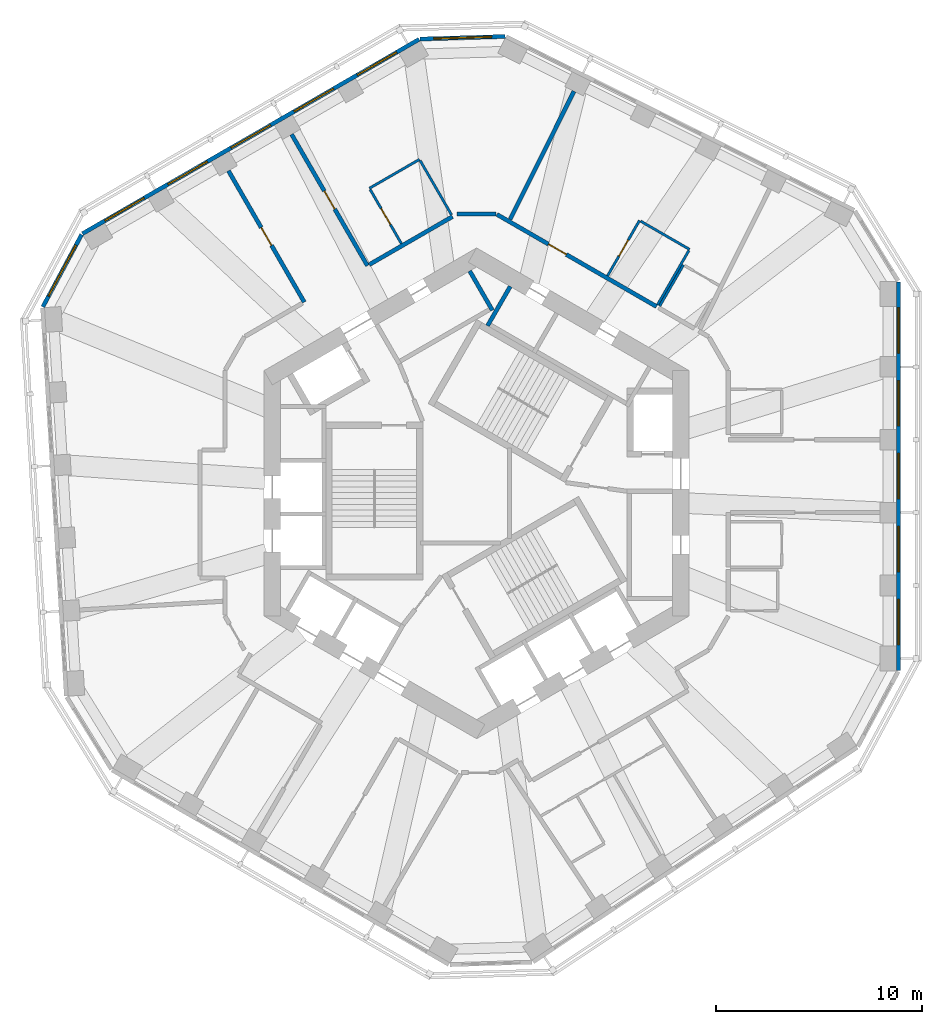
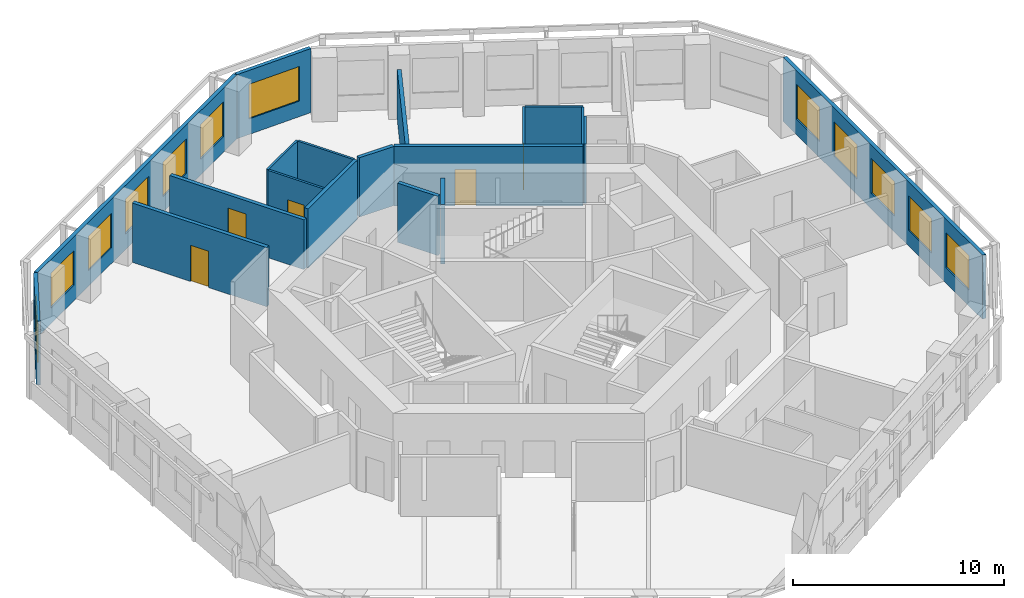
# One storey, part 7 of 11: 19 walls, 12 windows, 5 doors, 17 openings.
"""IFC4 building model written with IfcOpenShell, lengths in metres."""

from ifc_helpers import new_model, si_unit, direction, frame, frame_2d, origin, place, context, subcontext, project, spatial, rectangle, extrude, material, layer, layer_set, type_object, element, fill, save


model = new_model("IFC4")

# Units and contexts
model_context = context("Model", 3, precision=1e-05, world=origin(), true_north=direction((0.0, 1.0)))
body_context = subcontext(model_context, "Body", "Model", "MODEL_VIEW")
ifc_project = project(units=[si_unit("LENGTHUNIT", "METRE"), si_unit("AREAUNIT", "SQUARE_METRE"), si_unit("VOLUMEUNIT", "CUBIC_METRE"), si_unit("PLANEANGLEUNIT", "RADIAN"), si_unit("MASSUNIT", "GRAM", prefix="KILO")], contexts=[model_context])

# Site, building, storey
site_placement = place(None, origin())
site = spatial("IfcSite", under=ifc_project, at=site_placement, CompositionType="ELEMENT")
building_placement = place(site_placement, origin())
building = spatial("IfcBuilding", under=site, at=building_placement, Name="Vanh Sen Convention Tower", CompositionType="ELEMENT")
storey_placement = place(building_placement, frame((0.0, 0.0, 221.699951171875)))
storey = spatial("IfcBuildingStorey", under=building, at=storey_placement, Name="L54", CompositionType="ELEMENT", Elevation=221.699951171875)

# Wall
ifc_material_1 = material(Name="Moisture-resistant gypsum board on steel studs", Category="steel")
ifc_layer_1 = layer(ifc_material_1, 0.1201171875)
ifc_layer_set_1 = layer_set([ifc_layer_1], Name="Moisture-resistant gypsum board on steel studs")
wall_type_1 = type_object("IfcWallType", Name="Bathroom partition 120", PredefinedType="PARTITIONING", material=ifc_layer_set_1)
wall_1_placement = place(storey_placement, frame((-5.19140625, 14.78515625, 0.0), z_axis=(0.0, 0.0, 1.0), x_axis=(0.866034573852, 0.49998411664, 0.0)))
element("IfcWall", 1, at=wall_1_placement, inside=storey, type_object=wall_type_1, Name="Bathroom partition 120", PredefinedType="PARTITIONING", context=body_context, shape_type="SweptSolid", body=[
    extrude(rectangle(XDim=2.7998046875, YDim=0.1201171875, at=frame_2d((1.39990234375, 0.0))), origin(), (0.0, 0.0, 1.0), 3.420166015625),
])

# Wall, opening, door
wall_2_placement = place(storey_placement, frame((-3.641357421875, 12.1005859375, 0.0), z_axis=(0.0, 0.0, 1.0), x_axis=(-0.500026023896, 0.86601037836, 0.0)))
wall_2 = element("IfcWall", 2, at=wall_2_placement, inside=storey, type_object=wall_type_1, Name="Bathroom partition 120", PredefinedType="PARTITIONING", context=body_context, shape_type="SweptSolid", body=[
    extrude(rectangle(XDim=3.039794921875, YDim=0.1201171875, at=frame_2d((1.52001953125, 0.0))), origin(), (0.0, 0.0, 1.0), 3.420166015625),
])
opening_1_placement = place(wall_2_placement, frame((1.06982421875, 0.0, 0.0)))
opening_1 = element("IfcOpeningElement", 3, at=opening_1_placement, cuts=wall_2, Name="Opening D52107", PredefinedType="OPENING", context=body_context, shape_type="SweptSolid", body=[
    extrude(rectangle(XDim=0.89990234375, YDim=2.10009765625, at=frame_2d((0.449951171875, 1.050048828125))), frame((0.0, 0.070068359375, 0.0), z_axis=(0.0, -1.0, 0.0), x_axis=(1.0, 0.0, 0.0)), (0.0, 0.0, 1.0), 0.14013671875),
])
ifc_material_2 = material(Name="Laminate door in steel frame", Category="steel")
door_type_1 = type_object("IfcDoorType", Name="Room internal door 900", OperationType="SINGLE_SWING_LEFT", PredefinedType="DOOR", material=ifc_material_2)
door_1_placement = place(opening_1_placement, origin())
door_1 = element("IfcDoor", 4, at=door_1_placement, inside=storey, type_object=door_type_1, Name="Internal room door D52107", OperationType="SINGLE_SWING_LEFT", OverallHeight=2.10009765625, OverallWidth=0.89990234375, PredefinedType="DOOR", context=body_context, shape_type="SweptSolid", body=[
    extrude(rectangle(XDim=0.89990234375, YDim=2.10009765625, at=frame_2d((0.449951171875, 1.050048828125))), frame((0.0, 0.02490234375, 0.0), z_axis=(0.0, -1.0, 0.0), x_axis=(1.0, 0.0, 0.0)), (0.0, 0.0, 1.0), 0.050048828125),
])
fill(opening_1, door_1)

# Wall
wall_3_placement = place(storey_placement, frame((-2.736572265625, 16.133056640625, 0.0), z_axis=(0.0, 0.0, 1.0), x_axis=(0.500026023896, -0.86601037836, 0.0)))
element("IfcWall", 5, at=wall_3_placement, inside=storey, type_object=wall_type_1, Name="Bathroom partition 120", PredefinedType="PARTITIONING", context=body_context, shape_type="SweptSolid", body=[
    extrude(rectangle(XDim=3.039794921875, YDim=0.1201171875, at=frame_2d((1.52001953125, 0.0))), origin(), (0.0, 0.0, 1.0), 3.420166015625),
])

# Wall, opening, door
wall_4_placement = place(storey_placement, frame((6.3466796875, 10.53857421875, 0.0), z_axis=(0.0, 0.0, 1.0), x_axis=(0.499933790963, 0.866063626216, 0.0)))
wall_4 = element("IfcWall", 6, at=wall_4_placement, inside=storey, type_object=wall_type_1, Name="Bathroom partition 120", PredefinedType="PARTITIONING", context=body_context, shape_type="SweptSolid", body=[
    extrude(rectangle(XDim=3.10009765625, YDim=0.1201171875, at=frame_2d((1.550048828125, 0.0))), origin(), (0.0, 0.0, 1.0), 3.420166015625),
])
opening_2_placement = place(wall_4_placement, frame((1.10009765625, 0.0, 0.0)))
opening_2 = element("IfcOpeningElement", 7, at=opening_2_placement, cuts=wall_4, Name="Opening D52105", PredefinedType="OPENING", context=body_context, shape_type="SweptSolid", body=[
    extrude(rectangle(XDim=0.89990234375, YDim=2.10009765625, at=frame_2d((0.449951171875, 1.050048828125))), frame((0.0, 0.070068359375, 0.0), z_axis=(0.0, -1.0, 0.0), x_axis=(1.0, 0.0, 0.0)), (0.0, 0.0, 1.0), 0.14013671875),
])
door_2_placement = place(opening_2_placement, origin())
door_2 = element("IfcDoor", 8, at=door_2_placement, inside=storey, type_object=door_type_1, Name="Internal room door D52105", OperationType="SINGLE_SWING_LEFT", OverallHeight=2.10009765625, OverallWidth=0.89990234375, PredefinedType="DOOR", context=body_context, shape_type="SweptSolid", body=[
    extrude(rectangle(XDim=0.89990234375, YDim=2.10009765625, at=frame_2d((0.449951171875, 1.050048828125))), frame((0.0, 0.02490234375, 0.0), z_axis=(0.0, -1.0, 0.0), x_axis=(1.0, 0.0, 0.0)), (0.0, 0.0, 1.0), 0.050048828125),
])
fill(opening_2, door_2)

# Walls
wall_5_placement = place(storey_placement, frame((7.948486328125, 13.193359375, 0.0), z_axis=(0.0, 0.0, 1.0), x_axis=(0.866019409031, -0.500010383074, 0.0)))
element("IfcWall", 9, at=wall_5_placement, inside=storey, type_object=wall_type_1, Name="Bathroom partition 120", PredefinedType="PARTITIONING", context=body_context, shape_type="SweptSolid", body=[
    extrude(rectangle(XDim=2.740234375, YDim=0.1201171875, at=frame_2d((1.3701171875, 0.0))), origin(), (0.0, 0.0, 1.0), 3.420166015625),
])
wall_6_placement = place(storey_placement, frame((8.87548828125, 9.07861328125, 0.0), z_axis=(0.0, 0.0, 1.0), x_axis=(0.499998129301, 0.86602648383, 0.0)))
element("IfcWall", 10, at=wall_6_placement, inside=storey, type_object=wall_type_1, Name="Bathroom partition 120", PredefinedType="PARTITIONING", context=body_context, shape_type="SweptSolid", body=[
    extrude(rectangle(XDim=2.2998046875, YDim=0.1201171875, at=frame_2d((1.14990234375, 0.0))), origin(), (0.0, 0.0, 1.0), 3.420166015625),
])
wall_7_placement = place(storey_placement, frame((10.29150390625, 11.771240234375, 0.0), z_axis=(0.0, 0.0, 1.0), x_axis=(-0.500026023896, -0.86601037836, 0.0)))
element("IfcWall", 11, at=wall_7_placement, inside=storey, type_object=wall_type_1, Name="Bathroom partition 120", PredefinedType="PARTITIONING", context=body_context, shape_type="SweptSolid", body=[
    extrude(rectangle(XDim=3.039794921875, YDim=0.1201171875, at=frame_2d((1.52001953125, 0.0))), origin(), (0.0, 0.0, 1.0), 3.420166015625),
])

# Wall, opening, door
ifc_material_3 = material(Name="Gypsum board on steel studs with mineral wool", Category="steel")
ifc_layer_2 = layer(ifc_material_3, 0.199951171875)
ifc_layer_set_2 = layer_set([ifc_layer_2], Name="Gypsum board on steel studs with mineral wool")
wall_type_2 = type_object("IfcWallType", Name="Corridor partition wall 200", PredefinedType="PARTITIONING", material=ifc_layer_set_2)
wall_8_placement = place(storey_placement, frame((-12.02490234375, 15.6318359375, 0.0), z_axis=(0.0, 0.0, 1.0), x_axis=(0.499983153418, -0.866035129944, 0.0)))
wall_8 = element("IfcWall", 12, at=wall_8_placement, inside=storey, type_object=wall_type_2, Name="Corridor partition wall 200", PredefinedType="PARTITIONING", context=body_context, shape_type="SweptSolid", body=[
    extrude(rectangle(XDim=7.349853515625, YDim=0.199951171875, at=frame_2d((3.6748046875, 0.0))), origin(), (0.0, 0.0, 1.0), 3.420166015625),
])
opening_3_placement = place(wall_8_placement, frame((3.175048828125, 0.0, 0.0)))
opening_3 = element("IfcOpeningElement", 13, at=opening_3_placement, cuts=wall_8, Name="Opening D52108", PredefinedType="OPENING", context=body_context, shape_type="SweptSolid", body=[
    extrude(rectangle(XDim=1.0, YDim=2.10009765625, at=frame_2d((0.5, 1.050048828125))), frame((0.0, 0.10986328125, 0.0), z_axis=(0.0, -1.0, 0.0), x_axis=(1.0, 0.0, 0.0)), (0.0, 0.0, 1.0), 0.219970703125),
])
ifc_material_4 = material(Name="Timber fire door in steel frame", Category="steel")
door_type_2 = type_object("IfcDoorType", Name="Floor room door 1000", OperationType="SINGLE_SWING_LEFT", PredefinedType="DOOR", material=ifc_material_4)
door_3_placement = place(opening_3_placement, origin())
door_3 = element("IfcDoor", 14, at=door_3_placement, inside=storey, type_object=door_type_2, Name="Meeting and amenity room door D52108", OperationType="SINGLE_SWING_LEFT", OverallHeight=2.10009765625, OverallWidth=1.0, PredefinedType="DOOR", context=body_context, shape_type="SweptSolid", body=[
    extrude(rectangle(XDim=1.0, YDim=2.10009765625, at=frame_2d((0.5, 1.050048828125))), frame((0.0, 0.02490234375, 0.0), z_axis=(0.0, -1.0, 0.0), x_axis=(1.0, 0.0, 0.0)), (0.0, 0.0, 1.0), 0.050048828125),
])
fill(opening_3, door_3)

wall_9_placement = place(storey_placement, frame((-8.96484375, 17.398681640625, 0.0), z_axis=(0.0, 0.0, 1.0), x_axis=(0.499993683172, -0.866029050776, 0.0)))
wall_9 = element("IfcWall", 15, at=wall_9_placement, inside=storey, type_object=wall_type_2, Name="Corridor partition wall 200", PredefinedType="PARTITIONING", context=body_context, shape_type="SweptSolid", body=[
    extrude(rectangle(XDim=7.35009765625, YDim=0.199951171875, at=frame_2d((3.675048828125, 0.0))), origin(), (0.0, 0.0, 1.0), 2.8701171875),
])
opening_4_placement = place(wall_9_placement, frame((3.175048828125, 0.0, 0.0)))
opening_4 = element("IfcOpeningElement", 16, at=opening_4_placement, cuts=wall_9, Name="Opening D52106", PredefinedType="OPENING", context=body_context, shape_type="SweptSolid", body=[
    extrude(rectangle(XDim=1.0, YDim=2.10009765625, at=frame_2d((0.5, 1.050048828125))), frame((0.0, 0.10986328125, 0.0), z_axis=(0.0, -1.0, 0.0), x_axis=(1.0, 0.0, 0.0)), (0.0, 0.0, 1.0), 0.219970703125),
])
ifc_material_5 = material(Name="Glazed fire door in steel frame", Category="steel")
door_type_3 = type_object("IfcDoorType", Name="Tenant entrance door 1000", OperationType="SINGLE_SWING_LEFT", PredefinedType="DOOR", material=ifc_material_5)
door_4_placement = place(opening_4_placement, origin())
door_4 = element("IfcDoor", 17, at=door_4_placement, inside=storey, type_object=door_type_3, Name="Tenant suite entrance door D52106", OperationType="SINGLE_SWING_LEFT", OverallHeight=2.10009765625, OverallWidth=1.0, PredefinedType="DOOR", context=body_context, shape_type="SweptSolid", body=[
    extrude(rectangle(XDim=1.0, YDim=2.10009765625, at=frame_2d((0.5, 1.050048828125))), frame((0.0, 0.02490234375, 0.0), z_axis=(0.0, -1.0, 0.0), x_axis=(1.0, 0.0, 0.0)), (0.0, 0.0, 1.0), 0.050048828125),
])
fill(opening_4, door_4)

# Walls
wall_10_placement = place(storey_placement, frame((-1.16650390625, 13.413818359375, 0.0), z_axis=(0.0, 0.0, 1.0), x_axis=(-0.866023347809, -0.500003561037, 0.0)))
element("IfcWall", 18, at=wall_10_placement, inside=storey, type_object=wall_type_2, Name="Corridor partition wall 200", PredefinedType="PARTITIONING", context=body_context, shape_type="SweptSolid", body=[
    extrude(rectangle(XDim=4.6611328125, YDim=0.199951171875, at=frame_2d((2.33056640625, 0.0))), origin(), (0.0, 0.0, 1.0), 3.420166015625),
])
wall_11_placement = place(storey_placement, frame((0.949951171875, 13.538818359375, 0.0), z_axis=(0.0, 0.0, 1.0), x_axis=(-1.0, 0.0, 0.0)))
element("IfcWall", 19, at=wall_11_placement, inside=storey, type_object=wall_type_2, Name="Corridor partition wall 200", PredefinedType="PARTITIONING", context=body_context, shape_type="SweptSolid", body=[
    extrude(rectangle(XDim=1.89990234375, YDim=0.199951171875, at=frame_2d((0.949951171875, 0.0))), origin(), (0.0, 0.0, 1.0), 3.420166015625),
])

# Wall, opening, door
wall_12_placement = place(storey_placement, frame((8.721435546875, 9.052001953125, 0.0), z_axis=(0.0, 0.0, 1.0), x_axis=(-0.866028125821, 0.499995285264, 0.0)))
wall_12 = element("IfcWall", 20, at=wall_12_placement, inside=storey, type_object=wall_type_2, Name="Corridor partition wall 200", PredefinedType="PARTITIONING", context=body_context, shape_type="SweptSolid", body=[
    extrude(rectangle(XDim=8.93359375, YDim=0.199951171875, at=frame_2d((4.466796875, 0.0))), origin(), (0.0, 0.0, 1.0), 3.420166015625),
])
opening_5_placement = place(wall_12_placement, frame((5.05029296875, 0.0, 0.0)))
opening_5 = element("IfcOpeningElement", 21, at=opening_5_placement, cuts=wall_12, Name="Opening D52103", PredefinedType="OPENING", context=body_context, shape_type="SweptSolid", body=[
    extrude(rectangle(XDim=1.0, YDim=2.10009765625, at=frame_2d((0.5, 1.050048828125))), frame((0.0, 0.10986328125, 0.0), z_axis=(0.0, -1.0, 0.0), x_axis=(1.0, 0.0, 0.0)), (0.0, 0.0, 1.0), 0.219970703125),
])
door_5_placement = place(opening_5_placement, origin())
door_5 = element("IfcDoor", 22, at=door_5_placement, inside=storey, type_object=door_type_3, Name="Tenant suite entrance door D52103", OperationType="SINGLE_SWING_LEFT", OverallHeight=2.10009765625, OverallWidth=1.0, PredefinedType="DOOR", context=body_context, shape_type="SweptSolid", body=[
    extrude(rectangle(XDim=1.0, YDim=2.10009765625, at=frame_2d((0.5, 1.050048828125))), frame((0.0, 0.02490234375, 0.0), z_axis=(0.0, -1.0, 0.0), x_axis=(1.0, 0.0, 0.0)), (0.0, 0.0, 1.0), 0.050048828125),
])
fill(opening_5, door_5)

# Wall, openings, windows
ifc_material_6 = material(Name="Insulated lightweight infill wall")
ifc_layer_3 = layer(ifc_material_6, 0.199951171875)
ifc_layer_set_3 = layer_set([ifc_layer_3], Name="Insulated lightweight infill wall")
wall_type_3 = type_object("IfcWallType", Name="External wall 200", PredefinedType="STANDARD", material=ifc_layer_set_3)
wall_13_placement = place(storey_placement, frame((20.449951171875, -8.590087890625, 0.0), z_axis=(0.0, 0.0, 1.0), x_axis=(0.0, 1.0, 0.0)))
wall_13 = element("IfcWall", 23, at=wall_13_placement, inside=storey, type_object=wall_type_3, Name="External wall E L54", PredefinedType="STANDARD", context=body_context, shape_type="SweptSolid", body=[
    extrude(rectangle(XDim=18.84130859375, YDim=0.199951171875, at=frame_2d((9.420654296875, 0.0))), origin(), (0.0, 0.0, 1.0), 3.699951171875),
])
opening_6_placement = place(wall_13_placement, frame((1.254150390625, 0.0, 0.89990234375)))
opening_6 = element("IfcOpeningElement", 24, at=opening_6_placement, cuts=wall_13, Name="Opening WO3-E1", PredefinedType="OPENING", context=body_context, shape_type="SweptSolid", body=[
    extrude(rectangle(XDim=2.199951171875, YDim=2.0, at=frame_2d((1.10009765625, 1.0))), frame((0.0, 0.10986328125, 0.0), z_axis=(0.0, -1.0, 0.0), x_axis=(1.0, 0.0, 0.0)), (0.0, 0.0, 1.0), 0.219970703125),
])
opening_7_placement = place(wall_13_placement, frame((4.787841796875, 0.0, 0.89990234375)))
opening_7 = element("IfcOpeningElement", 25, at=opening_7_placement, cuts=wall_13, Name="Opening WO3-E2", PredefinedType="OPENING", context=body_context, shape_type="SweptSolid", body=[
    extrude(rectangle(XDim=2.199951171875, YDim=2.0, at=frame_2d((1.10009765625, 1.0))), frame((0.0, 0.10986328125, 0.0), z_axis=(0.0, -1.0, 0.0), x_axis=(1.0, 0.0, 0.0)), (0.0, 0.0, 1.0), 0.219970703125),
])
opening_8_placement = place(wall_13_placement, frame((8.321533203125, 0.0, 0.89990234375)))
opening_8 = element("IfcOpeningElement", 26, at=opening_8_placement, cuts=wall_13, Name="Opening WO3-E3", PredefinedType="OPENING", context=body_context, shape_type="SweptSolid", body=[
    extrude(rectangle(XDim=2.199951171875, YDim=2.0, at=frame_2d((1.10009765625, 1.0))), frame((0.0, 0.10986328125, 0.0), z_axis=(0.0, -1.0, 0.0), x_axis=(1.0, 0.0, 0.0)), (0.0, 0.0, 1.0), 0.219970703125),
])
opening_9_placement = place(wall_13_placement, frame((11.85498046875, 0.0, 0.89990234375)))
opening_9 = element("IfcOpeningElement", 27, at=opening_9_placement, cuts=wall_13, Name="Opening WO3-E4", PredefinedType="OPENING", context=body_context, shape_type="SweptSolid", body=[
    extrude(rectangle(XDim=2.199951171875, YDim=2.0, at=frame_2d((1.10009765625, 1.0))), frame((0.0, 0.10986328125, 0.0), z_axis=(0.0, -1.0, 0.0), x_axis=(1.0, 0.0, 0.0)), (0.0, 0.0, 1.0), 0.219970703125),
])
opening_10_placement = place(wall_13_placement, frame((15.388671875, 0.0, 0.89990234375)))
opening_10 = element("IfcOpeningElement", 28, at=opening_10_placement, cuts=wall_13, Name="Opening WO3-E5", PredefinedType="OPENING", context=body_context, shape_type="SweptSolid", body=[
    extrude(rectangle(XDim=2.199951171875, YDim=2.0, at=frame_2d((1.10009765625, 1.0))), frame((0.0, 0.10986328125, 0.0), z_axis=(0.0, -1.0, 0.0), x_axis=(1.0, 0.0, 0.0)), (0.0, 0.0, 1.0), 0.219970703125),
])
ifc_material_7 = material(Name="Aluminium frame with clear low-emissivity glass", Category="aluminium")
window_type_1 = type_object("IfcWindowType", Name="Office window 2200 x 2000", PartitioningType="SINGLE_PANEL", PredefinedType="WINDOW", material=ifc_material_7)
window_1_placement = place(opening_6_placement, origin())
window_1 = element("IfcWindow", 29, at=window_1_placement, inside=storey, type_object=window_type_1, Name="Window WO3-E1", OverallHeight=2.0, OverallWidth=2.199951171875, PartitioningType="SINGLE_PANEL", PredefinedType="WINDOW", context=body_context, shape_type="SweptSolid", body=[
    extrude(rectangle(XDim=2.199951171875, YDim=2.0, at=frame_2d((1.10009765625, 1.0))), frame((0.0, 0.030029296875, 0.0), z_axis=(0.0, -1.0, 0.0), x_axis=(1.0, 0.0, 0.0)), (0.0, 0.0, 1.0), 0.06005859375),
])
fill(opening_6, window_1)
window_2_placement = place(opening_7_placement, origin())
window_2 = element("IfcWindow", 30, at=window_2_placement, inside=storey, type_object=window_type_1, Name="Window WO3-E2", OverallHeight=2.0, OverallWidth=2.199951171875, PartitioningType="SINGLE_PANEL", PredefinedType="WINDOW", context=body_context, shape_type="SweptSolid", body=[
    extrude(rectangle(XDim=2.199951171875, YDim=2.0, at=frame_2d((1.10009765625, 1.0))), frame((0.0, 0.030029296875, 0.0), z_axis=(0.0, -1.0, 0.0), x_axis=(1.0, 0.0, 0.0)), (0.0, 0.0, 1.0), 0.06005859375),
])
fill(opening_7, window_2)
window_3_placement = place(opening_8_placement, origin())
window_3 = element("IfcWindow", 31, at=window_3_placement, inside=storey, type_object=window_type_1, Name="Window WO3-E3", OverallHeight=2.0, OverallWidth=2.199951171875, PartitioningType="SINGLE_PANEL", PredefinedType="WINDOW", context=body_context, shape_type="SweptSolid", body=[
    extrude(rectangle(XDim=2.199951171875, YDim=2.0, at=frame_2d((1.10009765625, 1.0))), frame((0.0, 0.030029296875, 0.0), z_axis=(0.0, -1.0, 0.0), x_axis=(1.0, 0.0, 0.0)), (0.0, 0.0, 1.0), 0.06005859375),
])
fill(opening_8, window_3)
window_4_placement = place(opening_9_placement, origin())
window_4 = element("IfcWindow", 32, at=window_4_placement, inside=storey, type_object=window_type_1, Name="Window WO3-E4", OverallHeight=2.0, OverallWidth=2.199951171875, PartitioningType="SINGLE_PANEL", PredefinedType="WINDOW", context=body_context, shape_type="SweptSolid", body=[
    extrude(rectangle(XDim=2.199951171875, YDim=2.0, at=frame_2d((1.10009765625, 1.0))), frame((0.0, 0.030029296875, 0.0), z_axis=(0.0, -1.0, 0.0), x_axis=(1.0, 0.0, 0.0)), (0.0, 0.0, 1.0), 0.06005859375),
])
fill(opening_9, window_4)
window_5_placement = place(opening_10_placement, origin())
window_5 = element("IfcWindow", 33, at=window_5_placement, inside=storey, type_object=window_type_1, Name="Window WO3-E5", OverallHeight=2.0, OverallWidth=2.199951171875, PartitioningType="SINGLE_PANEL", PredefinedType="WINDOW", context=body_context, shape_type="SweptSolid", body=[
    extrude(rectangle(XDim=2.199951171875, YDim=2.0, at=frame_2d((1.10009765625, 1.0))), frame((0.0, 0.030029296875, 0.0), z_axis=(0.0, -1.0, 0.0), x_axis=(1.0, 0.0, 0.0)), (0.0, 0.0, 1.0), 0.06005859375),
])
fill(opening_10, window_5)

# Wall, opening, window
wall_14_placement = place(storey_placement, frame((1.389404296875, 22.144775390625, 0.0), z_axis=(0.0, 0.0, 1.0), x_axis=(-0.999534702881, -0.030502093955, 0.0)))
wall_14 = element("IfcWall", 34, at=wall_14_placement, inside=storey, type_object=wall_type_3, Name="External wall CH2 L54", PredefinedType="STANDARD", context=body_context, shape_type="SweptSolid", body=[
    extrude(rectangle(XDim=4.130126953125, YDim=0.199951171875, at=frame_2d((2.06494140625, 0.0))), origin(), (0.0, 0.0, 1.0), 3.699951171875),
])
opening_11_placement = place(wall_14_placement, frame((0.6650390625, 0.0, 0.89990234375)))
opening_11 = element("IfcOpeningElement", 35, at=opening_11_placement, cuts=wall_14, Name="Opening WO4-CH21", PredefinedType="OPENING", context=body_context, shape_type="SweptSolid", body=[
    extrude(rectangle(XDim=2.800048828125, YDim=2.0, at=frame_2d((1.39990234375, 1.0))), frame((0.0, 0.10986328125, 0.0), z_axis=(0.0, -1.0, 0.0), x_axis=(1.0, 0.0, 0.0)), (0.0, 0.0, 1.0), 0.219970703125),
])
window_type_2 = type_object("IfcWindowType", Name="Office window 2800 x 2000", PartitioningType="SINGLE_PANEL", PredefinedType="WINDOW", material=ifc_material_7)
window_6_placement = place(opening_11_placement, origin())
window_6 = element("IfcWindow", 36, at=window_6_placement, inside=storey, type_object=window_type_2, Name="Window WO4-CH21", OverallHeight=2.0, OverallWidth=2.800048828125, PartitioningType="SINGLE_PANEL", PredefinedType="WINDOW", context=body_context, shape_type="SweptSolid", body=[
    extrude(rectangle(XDim=2.800048828125, YDim=2.0, at=frame_2d((1.39990234375, 1.0))), frame((0.0, 0.030029296875, 0.0), z_axis=(0.0, -1.0, 0.0), x_axis=(1.0, 0.0, 0.0)), (0.0, 0.0, 1.0), 0.06005859375),
])
fill(opening_11, window_6)

# Wall, openings, windows
wall_15_placement = place(storey_placement, frame((-2.78564453125, 22.00537109375, 0.0), z_axis=(0.0, 0.0, 1.0), x_axis=(-0.866026555358, -0.49999800541, 0.0)))
wall_15 = element("IfcWall", 37, at=wall_15_placement, inside=storey, type_object=wall_type_3, Name="External wall NW L54", PredefinedType="STANDARD", context=body_context, shape_type="SweptSolid", body=[
    extrude(rectangle(XDim=18.84130859375, YDim=0.199951171875, at=frame_2d((9.420654296875, 0.0))), origin(), (0.0, 0.0, 1.0), 3.699951171875),
])
opening_12_placement = place(wall_15_placement, frame((1.254150390625, 0.0, 0.89990234375)))
opening_12 = element("IfcOpeningElement", 38, at=opening_12_placement, cuts=wall_15, Name="Opening WO3-NW1", PredefinedType="OPENING", context=body_context, shape_type="SweptSolid", body=[
    extrude(rectangle(XDim=2.199951171875, YDim=2.0, at=frame_2d((1.10009765625, 1.0))), frame((0.0, 0.10986328125, 0.0), z_axis=(0.0, -1.0, 0.0), x_axis=(1.0, 0.0, 0.0)), (0.0, 0.0, 1.0), 0.219970703125),
])
opening_13_placement = place(wall_15_placement, frame((4.787841796875, 0.0, 0.89990234375)))
opening_13 = element("IfcOpeningElement", 39, at=opening_13_placement, cuts=wall_15, Name="Opening WO3-NW2", PredefinedType="OPENING", context=body_context, shape_type="SweptSolid", body=[
    extrude(rectangle(XDim=2.199951171875, YDim=2.0, at=frame_2d((1.10009765625, 1.0))), frame((0.0, 0.10986328125, 0.0), z_axis=(0.0, -1.0, 0.0), x_axis=(1.0, 0.0, 0.0)), (0.0, 0.0, 1.0), 0.219970703125),
])
opening_14_placement = place(wall_15_placement, frame((8.3212890625, 0.0, 0.89990234375)))
opening_14 = element("IfcOpeningElement", 40, at=opening_14_placement, cuts=wall_15, Name="Opening WO3-NW3", PredefinedType="OPENING", context=body_context, shape_type="SweptSolid", body=[
    extrude(rectangle(XDim=2.199951171875, YDim=2.0, at=frame_2d((1.10009765625, 1.0))), frame((0.0, 0.10986328125, 0.0), z_axis=(0.0, -1.0, 0.0), x_axis=(1.0, 0.0, 0.0)), (0.0, 0.0, 1.0), 0.219970703125),
])
opening_15_placement = place(wall_15_placement, frame((11.85498046875, 0.0, 0.89990234375)))
opening_15 = element("IfcOpeningElement", 41, at=opening_15_placement, cuts=wall_15, Name="Opening WO3-NW4", PredefinedType="OPENING", context=body_context, shape_type="SweptSolid", body=[
    extrude(rectangle(XDim=2.199951171875, YDim=2.0, at=frame_2d((1.10009765625, 1.0))), frame((0.0, 0.10986328125, 0.0), z_axis=(0.0, -1.0, 0.0), x_axis=(1.0, 0.0, 0.0)), (0.0, 0.0, 1.0), 0.219970703125),
])
opening_16_placement = place(wall_15_placement, frame((15.388671875, 0.0, 0.89990234375)))
opening_16 = element("IfcOpeningElement", 42, at=opening_16_placement, cuts=wall_15, Name="Opening WO3-NW5", PredefinedType="OPENING", context=body_context, shape_type="SweptSolid", body=[
    extrude(rectangle(XDim=2.199951171875, YDim=2.0, at=frame_2d((1.10009765625, 1.0))), frame((0.0, 0.10986328125, 0.0), z_axis=(0.0, -1.0, 0.0), x_axis=(1.0, 0.0, 0.0)), (0.0, 0.0, 1.0), 0.219970703125),
])
window_7_placement = place(opening_12_placement, origin())
window_7 = element("IfcWindow", 43, at=window_7_placement, inside=storey, type_object=window_type_1, Name="Window WO3-NW1", OverallHeight=2.0, OverallWidth=2.199951171875, PartitioningType="SINGLE_PANEL", PredefinedType="WINDOW", context=body_context, shape_type="SweptSolid", body=[
    extrude(rectangle(XDim=2.199951171875, YDim=2.0, at=frame_2d((1.10009765625, 1.0))), frame((0.0, 0.030029296875, 0.0), z_axis=(0.0, -1.0, 0.0), x_axis=(1.0, 0.0, 0.0)), (0.0, 0.0, 1.0), 0.06005859375),
])
fill(opening_12, window_7)
window_8_placement = place(opening_13_placement, origin())
window_8 = element("IfcWindow", 44, at=window_8_placement, inside=storey, type_object=window_type_1, Name="Window WO3-NW2", OverallHeight=2.0, OverallWidth=2.199951171875, PartitioningType="SINGLE_PANEL", PredefinedType="WINDOW", context=body_context, shape_type="SweptSolid", body=[
    extrude(rectangle(XDim=2.199951171875, YDim=2.0, at=frame_2d((1.10009765625, 1.0))), frame((0.0, 0.030029296875, 0.0), z_axis=(0.0, -1.0, 0.0), x_axis=(1.0, 0.0, 0.0)), (0.0, 0.0, 1.0), 0.06005859375),
])
fill(opening_13, window_8)
window_9_placement = place(opening_14_placement, origin())
window_9 = element("IfcWindow", 45, at=window_9_placement, inside=storey, type_object=window_type_1, Name="Window WO3-NW3", OverallHeight=2.0, OverallWidth=2.199951171875, PartitioningType="SINGLE_PANEL", PredefinedType="WINDOW", context=body_context, shape_type="SweptSolid", body=[
    extrude(rectangle(XDim=2.199951171875, YDim=2.0, at=frame_2d((1.10009765625, 1.0))), frame((0.0, 0.030029296875, 0.0), z_axis=(0.0, -1.0, 0.0), x_axis=(1.0, 0.0, 0.0)), (0.0, 0.0, 1.0), 0.06005859375),
])
fill(opening_14, window_9)
window_10_placement = place(opening_15_placement, origin())
window_10 = element("IfcWindow", 46, at=window_10_placement, inside=storey, type_object=window_type_1, Name="Window WO3-NW4", OverallHeight=2.0, OverallWidth=2.199951171875, PartitioningType="SINGLE_PANEL", PredefinedType="WINDOW", context=body_context, shape_type="SweptSolid", body=[
    extrude(rectangle(XDim=2.199951171875, YDim=2.0, at=frame_2d((1.10009765625, 1.0))), frame((0.0, 0.030029296875, 0.0), z_axis=(0.0, -1.0, 0.0), x_axis=(1.0, 0.0, 0.0)), (0.0, 0.0, 1.0), 0.06005859375),
])
fill(opening_15, window_10)
window_11_placement = place(opening_16_placement, origin())
window_11 = element("IfcWindow", 47, at=window_11_placement, inside=storey, type_object=window_type_1, Name="Window WO3-NW5", OverallHeight=2.0, OverallWidth=2.199951171875, PartitioningType="SINGLE_PANEL", PredefinedType="WINDOW", context=body_context, shape_type="SweptSolid", body=[
    extrude(rectangle(XDim=2.199951171875, YDim=2.0, at=frame_2d((1.10009765625, 1.0))), frame((0.0, 0.030029296875, 0.0), z_axis=(0.0, -1.0, 0.0), x_axis=(1.0, 0.0, 0.0)), (0.0, 0.0, 1.0), 0.06005859375),
])
fill(opening_16, window_11)

# Wall, opening, window
wall_16_placement = place(storey_placement, frame((-19.140869140625, 12.54541015625, 0.0), z_axis=(0.0, 0.0, 1.0), x_axis=(-0.473306370921, -0.880897882416, 0.0)))
wall_16 = element("IfcWall", 48, at=wall_16_placement, inside=storey, type_object=wall_type_3, Name="External wall CH3 L54", PredefinedType="STANDARD", context=body_context, shape_type="SweptSolid", body=[
    extrude(rectangle(XDim=3.982666015625, YDim=0.199951171875, at=frame_2d((1.9912109375, 0.0))), origin(), (0.0, 0.0, 1.0), 3.699951171875),
])
opening_17_placement = place(wall_16_placement, frame((0.59130859375, 0.0, 0.89990234375)))
opening_17 = element("IfcOpeningElement", 49, at=opening_17_placement, cuts=wall_16, Name="Opening WO4-CH31", PredefinedType="OPENING", context=body_context, shape_type="SweptSolid", body=[
    extrude(rectangle(XDim=2.800048828125, YDim=2.0, at=frame_2d((1.39990234375, 1.0))), frame((0.0, 0.10986328125, 0.0), z_axis=(0.0, -1.0, 0.0), x_axis=(1.0, 0.0, 0.0)), (0.0, 0.0, 1.0), 0.219970703125),
])
window_12_placement = place(opening_17_placement, origin())
window_12 = element("IfcWindow", 50, at=window_12_placement, inside=storey, type_object=window_type_2, Name="Window WO4-CH31", OverallHeight=2.0, OverallWidth=2.800048828125, PartitioningType="SINGLE_PANEL", PredefinedType="WINDOW", context=body_context, shape_type="SweptSolid", body=[
    extrude(rectangle(XDim=2.800048828125, YDim=2.0, at=frame_2d((1.39990234375, 1.0))), frame((0.0, 0.030029296875, 0.0), z_axis=(0.0, -1.0, 0.0), x_axis=(1.0, 0.0, 0.0)), (0.0, 0.0, 1.0), 0.06005859375),
])
fill(opening_17, window_12)

# Walls
ifc_material_8 = material(Name="Concrete C40/50", Category="concrete")
ifc_layer_4 = layer(ifc_material_8, 0.199951171875)
ifc_layer_set_4 = layer_set([ifc_layer_4], Name="Concrete C40/50")
wall_type_4 = type_object("IfcWallType", Name="Lift shaft wall 200", PredefinedType="PARTITIONING", material=ifc_layer_set_4)
wall_17_placement = place(storey_placement, frame((0.5322265625, 8.1220703125, 0.0), z_axis=(0.0, 0.0, 1.0), x_axis=(0.500077893725, 0.86598042715, 0.0)))
element("IfcWall", 51, at=wall_17_placement, inside=storey, type_object=wall_type_4, Name="Lift shaft wall L54", PredefinedType="PARTITIONING", context=body_context, shape_type="SweptSolid", body=[
    extrude(rectangle(XDim=2.199951171875, YDim=0.199951171875, at=frame_2d((1.10009765625, 0.0))), origin(), (0.0, 0.0, 1.0), 3.420166015625),
])
wall_18_placement = place(storey_placement, frame((0.7666015625, 8.8720703125, 0.0), z_axis=(0.0, 0.0, 1.0), x_axis=(-0.499994660107, 0.866028486751, 0.0)))
element("IfcWall", 52, at=wall_18_placement, inside=storey, type_object=wall_type_4, Name="Lift shaft wall L54", PredefinedType="PARTITIONING", context=body_context, shape_type="SweptSolid", body=[
    extrude(rectangle(XDim=2.19970703125, YDim=0.199951171875, at=frame_2d((1.099853515625, 0.0))), origin(), (0.0, 0.0, 1.0), 3.420166015625),
])
ifc_layer_5 = layer(ifc_material_3, 0.199951171875)
ifc_layer_set_5 = layer_set([ifc_layer_5], Name="Gypsum board on steel studs with mineral wool")
wall_type_5 = type_object("IfcWallType", Name="Tenant suite wall 200", PredefinedType="PARTITIONING", material=ifc_layer_set_5)
wall_19_placement = place(storey_placement, frame((4.723388671875, 19.489990234375, 0.0), z_axis=(0.0, 0.0, 1.0), x_axis=(-0.446186614574, -0.894939944898, 0.0)))
element("IfcWall", 53, at=wall_19_placement, inside=storey, type_object=wall_type_5, Name="Tenant suite wall 200", PredefinedType="PARTITIONING", context=body_context, shape_type="SweptSolid", body=[
    extrude(rectangle(XDim=6.943603515625, YDim=0.199951171875, at=frame_2d((3.4716796875, 0.0))), origin(), (0.0, 0.0, 1.0), 2.8701171875),
])

save(model, "model.ifc")
